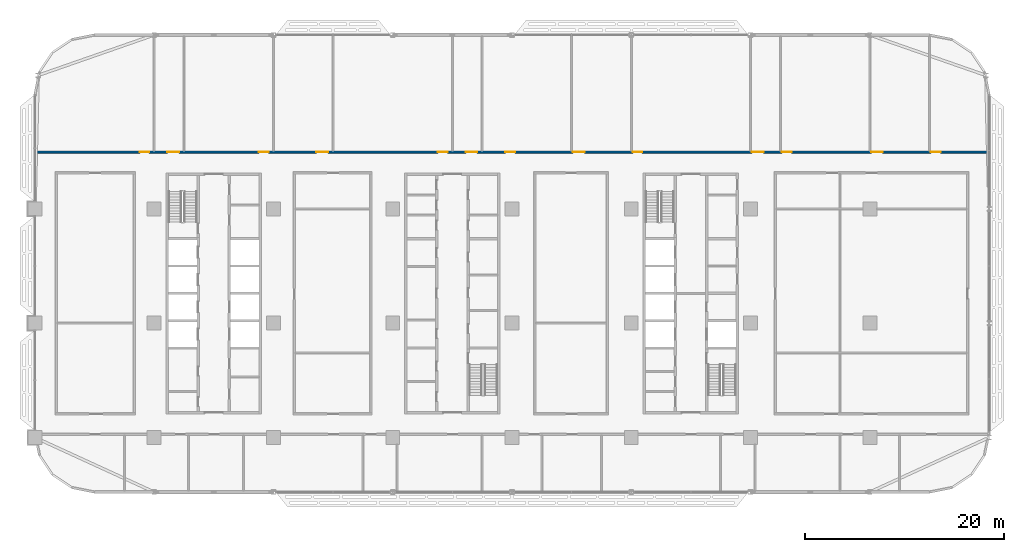
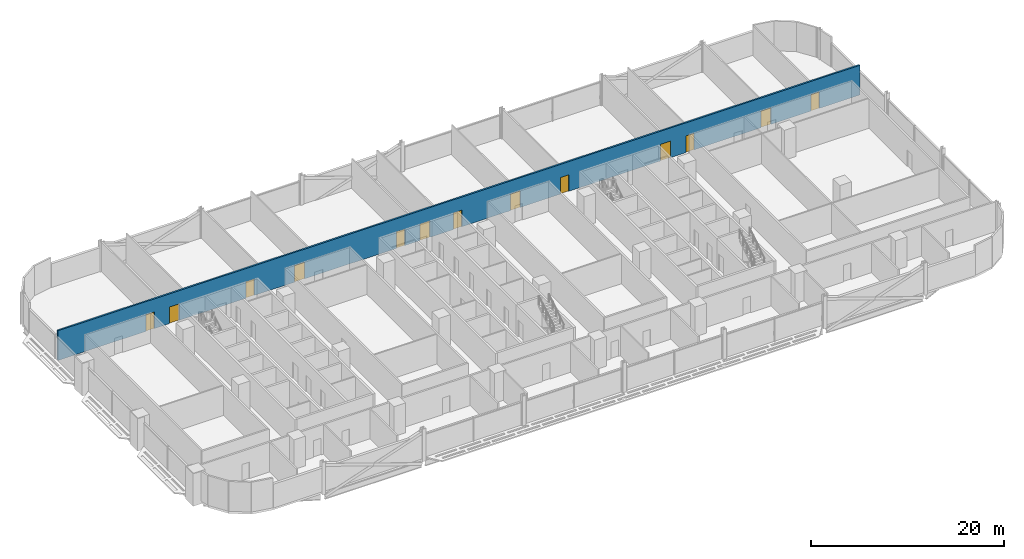
# One storey, part 15 of 29: 13 doors, 1 wall, 13 openings.
"""IFC4 building model written with IfcOpenShell, lengths in metres."""

from ifc_helpers import new_model, si_unit, direction, frame, frame_2d, origin, place, context, subcontext, project, spatial, rectangle, extrude, material, layer, layer_set, type_object, element, fill, save


model = new_model("IFC4")

# Units and contexts
model_context = context("Model", 3, precision=1e-05, world=origin(), true_north=direction((0.0, 1.0)))
body_context = subcontext(model_context, "Body", "Model", "MODEL_VIEW")
ifc_project = project(units=[si_unit("LENGTHUNIT", "METRE"), si_unit("AREAUNIT", "SQUARE_METRE"), si_unit("VOLUMEUNIT", "CUBIC_METRE"), si_unit("PLANEANGLEUNIT", "RADIAN"), si_unit("MASSUNIT", "GRAM", prefix="KILO")], contexts=[model_context])

# Site, building, storey
site_placement = place(None, origin())
site = spatial("IfcSite", under=ifc_project, at=site_placement, CompositionType="ELEMENT")
building_placement = place(site_placement, origin())
building = spatial("IfcBuilding", under=site, at=building_placement, Name="Mahtab Terrace Research Tower", CompositionType="ELEMENT")
storey_placement = place(building_placement, frame((0.0, 0.0, 93.0)))
storey = spatial("IfcBuildingStorey", under=building, at=storey_placement, Name="L21", CompositionType="ELEMENT", Elevation=93.0)

# Wall, openings, doors
ifc_material_1 = material(Name="Gypsum board corridor wall on steel studs", Category="steel")
ifc_layer = layer(ifc_material_1, 0.199951171875)
ifc_layer_set = layer_set([ifc_layer], Name="WALL CORRIDOR 200")
wall_type = type_object("IfcWallType", Name="WALL CORRIDOR 200", PredefinedType="PARTITIONING", material=ifc_layer_set)
wall_placement = place(storey_placement, frame((-41.97509765625, 17.199951171875, 0.0), z_axis=(0.0, 0.0, 1.0), x_axis=(1.0, 0.0, 0.0)))
wall = element("IfcWall", 1, at=wall_placement, inside=storey, type_object=wall_type, Name="L21-W024", PredefinedType="PARTITIONING", context=body_context, shape_type="SweptSolid", body=[
    extrude(rectangle(XDim=95.9501953125, YDim=0.199951171875, at=frame_2d((47.97509765625, 0.0))), origin(), (0.0, 0.0, 1.0), 3.760009765625),
])
opening_1_placement = place(wall_placement, frame((10.5, 0.0, 0.0)))
opening_1 = element("IfcOpeningElement", 2, at=opening_1_placement, cuts=wall, Name="Opening L21-127", PredefinedType="OPENING", context=body_context, shape_type="SweptSolid", body=[
    extrude(rectangle(XDim=1.0, YDim=2.10009765625, at=frame_2d((0.5, 1.050048828125))), frame((0.0, 0.10986328125, 0.0), z_axis=(0.0, -1.0, 0.0), x_axis=(1.0, 0.0, 0.0)), (0.0, 0.0, 1.0), 0.219970703125),
])
opening_2_placement = place(wall_placement, frame((13.300048828125, 0.0, 0.0)))
opening_2 = element("IfcOpeningElement", 3, at=opening_2_placement, cuts=wall, Name="Opening L21-128", PredefinedType="OPENING", context=body_context, shape_type="SweptSolid", body=[
    extrude(rectangle(XDim=1.199951171875, YDim=2.10009765625, at=frame_2d((0.60009765625, 1.050048828125))), frame((0.0, 0.10986328125, 0.0), z_axis=(0.0, -1.0, 0.0), x_axis=(1.0, 0.0, 0.0)), (0.0, 0.0, 1.0), 0.219970703125),
])
opening_3_placement = place(wall_placement, frame((22.5, 0.0, 0.0)))
opening_3 = element("IfcOpeningElement", 4, at=opening_3_placement, cuts=wall, Name="Opening L21-129", PredefinedType="OPENING", context=body_context, shape_type="SweptSolid", body=[
    extrude(rectangle(XDim=1.0, YDim=2.10009765625, at=frame_2d((0.5, 1.050048828125))), frame((0.0, 0.10986328125, 0.0), z_axis=(0.0, -1.0, 0.0), x_axis=(1.0, 0.0, 0.0)), (0.0, 0.0, 1.0), 0.219970703125),
])
opening_4_placement = place(wall_placement, frame((28.300048828125, 0.0, 0.0)))
opening_4 = element("IfcOpeningElement", 5, at=opening_4_placement, cuts=wall, Name="Opening L21-130", PredefinedType="OPENING", context=body_context, shape_type="SweptSolid", body=[
    extrude(rectangle(XDim=1.199951171875, YDim=2.10009765625, at=frame_2d((0.60009765625, 1.050048828125))), frame((0.0, 0.10986328125, 0.0), z_axis=(0.0, -1.0, 0.0), x_axis=(1.0, 0.0, 0.0)), (0.0, 0.0, 1.0), 0.219970703125),
])
opening_5_placement = place(wall_placement, frame((40.5, 0.0, 0.0)))
opening_5 = element("IfcOpeningElement", 6, at=opening_5_placement, cuts=wall, Name="Opening L21-131", PredefinedType="OPENING", context=body_context, shape_type="SweptSolid", body=[
    extrude(rectangle(XDim=1.0, YDim=2.10009765625, at=frame_2d((0.5, 1.050048828125))), frame((0.0, 0.10986328125, 0.0), z_axis=(0.0, -1.0, 0.0), x_axis=(1.0, 0.0, 0.0)), (0.0, 0.0, 1.0), 0.219970703125),
])
opening_6_placement = place(wall_placement, frame((43.300048828125, 0.0, 0.0)))
opening_6 = element("IfcOpeningElement", 7, at=opening_6_placement, cuts=wall, Name="Opening L21-132", PredefinedType="OPENING", context=body_context, shape_type="SweptSolid", body=[
    extrude(rectangle(XDim=1.199951171875, YDim=2.10009765625, at=frame_2d((0.60009765625, 1.050048828125))), frame((0.0, 0.10986328125, 0.0), z_axis=(0.0, -1.0, 0.0), x_axis=(1.0, 0.0, 0.0)), (0.0, 0.0, 1.0), 0.219970703125),
])
opening_7_placement = place(wall_placement, frame((47.300048828125, 0.0, 0.0)))
opening_7 = element("IfcOpeningElement", 8, at=opening_7_placement, cuts=wall, Name="Opening L21-133", PredefinedType="OPENING", context=body_context, shape_type="SweptSolid", body=[
    extrude(rectangle(XDim=1.0, YDim=2.10009765625, at=frame_2d((0.5, 1.050048828125))), frame((0.0, 0.10986328125, 0.0), z_axis=(0.0, -1.0, 0.0), x_axis=(1.0, 0.0, 0.0)), (0.0, 0.0, 1.0), 0.219970703125),
])
opening_8_placement = place(wall_placement, frame((54.10009765625, 0.0, 0.0)))
opening_8 = element("IfcOpeningElement", 9, at=opening_8_placement, cuts=wall, Name="Opening L21-134", PredefinedType="OPENING", context=body_context, shape_type="SweptSolid", body=[
    extrude(rectangle(XDim=1.199951171875, YDim=2.10009765625, at=frame_2d((0.60009765625, 1.050048828125))), frame((0.0, 0.10986328125, 0.0), z_axis=(0.0, -1.0, 0.0), x_axis=(1.0, 0.0, 0.0)), (0.0, 0.0, 1.0), 0.219970703125),
])
opening_9_placement = place(wall_placement, frame((60.10009765625, 0.0, 0.0)))
opening_9 = element("IfcOpeningElement", 10, at=opening_9_placement, cuts=wall, Name="Opening L21-135", PredefinedType="OPENING", context=body_context, shape_type="SweptSolid", body=[
    extrude(rectangle(XDim=1.0, YDim=2.10009765625, at=frame_2d((0.5, 1.050048828125))), frame((0.0, 0.10986328125, 0.0), z_axis=(0.0, -1.0, 0.0), x_axis=(1.0, 0.0, 0.0)), (0.0, 0.0, 1.0), 0.219970703125),
])
opening_10_placement = place(wall_placement, frame((72.10009765625, 0.0, 0.0)))
opening_10 = element("IfcOpeningElement", 11, at=opening_10_placement, cuts=wall, Name="Opening L21-136", PredefinedType="OPENING", context=body_context, shape_type="SweptSolid", body=[
    extrude(rectangle(XDim=1.199951171875, YDim=2.10009765625, at=frame_2d((0.60009765625, 1.050048828125))), frame((0.0, 0.10986328125, 0.0), z_axis=(0.0, -1.0, 0.0), x_axis=(1.0, 0.0, 0.0)), (0.0, 0.0, 1.0), 0.219970703125),
])
opening_11_placement = place(wall_placement, frame((75.10009765625, 0.0, 0.0)))
opening_11 = element("IfcOpeningElement", 12, at=opening_11_placement, cuts=wall, Name="Opening L21-137", PredefinedType="OPENING", context=body_context, shape_type="SweptSolid", body=[
    extrude(rectangle(XDim=1.0, YDim=2.10009765625, at=frame_2d((0.5, 1.050048828125))), frame((0.0, 0.10986328125, 0.0), z_axis=(0.0, -1.0, 0.0), x_axis=(1.0, 0.0, 0.0)), (0.0, 0.0, 1.0), 0.219970703125),
])
opening_12_placement = place(wall_placement, frame((84.10009765625, 0.0, 0.0)))
opening_12 = element("IfcOpeningElement", 13, at=opening_12_placement, cuts=wall, Name="Opening L21-138", PredefinedType="OPENING", context=body_context, shape_type="SweptSolid", body=[
    extrude(rectangle(XDim=1.199951171875, YDim=2.10009765625, at=frame_2d((0.60009765625, 1.050048828125))), frame((0.0, 0.10986328125, 0.0), z_axis=(0.0, -1.0, 0.0), x_axis=(1.0, 0.0, 0.0)), (0.0, 0.0, 1.0), 0.219970703125),
])
opening_13_placement = place(wall_placement, frame((90.10009765625, 0.0, 0.0)))
opening_13 = element("IfcOpeningElement", 14, at=opening_13_placement, cuts=wall, Name="Opening L21-139", PredefinedType="OPENING", context=body_context, shape_type="SweptSolid", body=[
    extrude(rectangle(XDim=1.0, YDim=2.10009765625, at=frame_2d((0.5, 1.050048828125))), frame((0.0, 0.10986328125, 0.0), z_axis=(0.0, -1.0, 0.0), x_axis=(1.0, 0.0, 0.0)), (0.0, 0.0, 1.0), 0.219970703125),
])
ifc_material_2 = material(Name="Timber door leaf in steel frame", Category="steel")
door_type_1 = type_object("IfcDoorType", Name="DOOR 1000X2100 FD30S", OperationType="SINGLE_SWING_LEFT", PredefinedType="DOOR", material=ifc_material_2)
door_1_placement = place(opening_1_placement, origin())
door_1 = element("IfcDoor", 15, at=door_1_placement, inside=storey, type_object=door_type_1, Name="Door L21-127", OperationType="SINGLE_SWING_LEFT", OverallHeight=2.10009765625, OverallWidth=1.0, PredefinedType="DOOR", context=body_context, shape_type="SweptSolid", body=[
    extrude(rectangle(XDim=1.0, YDim=2.10009765625, at=frame_2d((0.5, 1.050048828125))), frame((0.0, 0.02490234375, 0.0), z_axis=(0.0, -1.0, 0.0), x_axis=(1.0, 0.0, 0.0)), (0.0, 0.0, 1.0), 0.050048828125),
])
fill(opening_1, door_1)
door_2_placement = place(opening_3_placement, origin())
door_2 = element("IfcDoor", 16, at=door_2_placement, inside=storey, type_object=door_type_1, Name="Door L21-129", OperationType="SINGLE_SWING_LEFT", OverallHeight=2.10009765625, OverallWidth=1.0, PredefinedType="DOOR", context=body_context, shape_type="SweptSolid", body=[
    extrude(rectangle(XDim=1.0, YDim=2.10009765625, at=frame_2d((0.5, 1.050048828125))), frame((0.0, 0.02490234375, 0.0), z_axis=(0.0, -1.0, 0.0), x_axis=(1.0, 0.0, 0.0)), (0.0, 0.0, 1.0), 0.050048828125),
])
fill(opening_3, door_2)
door_3_placement = place(opening_5_placement, origin())
door_3 = element("IfcDoor", 17, at=door_3_placement, inside=storey, type_object=door_type_1, Name="Door L21-131", OperationType="SINGLE_SWING_LEFT", OverallHeight=2.10009765625, OverallWidth=1.0, PredefinedType="DOOR", context=body_context, shape_type="SweptSolid", body=[
    extrude(rectangle(XDim=1.0, YDim=2.10009765625, at=frame_2d((0.5, 1.050048828125))), frame((0.0, 0.02490234375, 0.0), z_axis=(0.0, -1.0, 0.0), x_axis=(1.0, 0.0, 0.0)), (0.0, 0.0, 1.0), 0.050048828125),
])
fill(opening_5, door_3)
door_4_placement = place(opening_7_placement, origin())
door_4 = element("IfcDoor", 18, at=door_4_placement, inside=storey, type_object=door_type_1, Name="Door L21-133", OperationType="SINGLE_SWING_LEFT", OverallHeight=2.10009765625, OverallWidth=1.0, PredefinedType="DOOR", context=body_context, shape_type="SweptSolid", body=[
    extrude(rectangle(XDim=1.0, YDim=2.10009765625, at=frame_2d((0.5, 1.050048828125))), frame((0.0, 0.02490234375, 0.0), z_axis=(0.0, -1.0, 0.0), x_axis=(1.0, 0.0, 0.0)), (0.0, 0.0, 1.0), 0.050048828125),
])
fill(opening_7, door_4)
door_5_placement = place(opening_9_placement, origin())
door_5 = element("IfcDoor", 19, at=door_5_placement, inside=storey, type_object=door_type_1, Name="Door L21-135", OperationType="SINGLE_SWING_RIGHT", OverallHeight=2.10009765625, OverallWidth=1.0, PredefinedType="DOOR", context=body_context, shape_type="SweptSolid", body=[
    extrude(rectangle(XDim=1.0, YDim=2.10009765625, at=frame_2d((0.5, 1.050048828125))), frame((0.0, 0.02490234375, 0.0), z_axis=(0.0, -1.0, 0.0), x_axis=(1.0, 0.0, 0.0)), (0.0, 0.0, 1.0), 0.050048828125),
])
fill(opening_9, door_5)
door_6_placement = place(opening_11_placement, origin())
door_6 = element("IfcDoor", 20, at=door_6_placement, inside=storey, type_object=door_type_1, Name="Door L21-137", OperationType="SINGLE_SWING_RIGHT", OverallHeight=2.10009765625, OverallWidth=1.0, PredefinedType="DOOR", context=body_context, shape_type="SweptSolid", body=[
    extrude(rectangle(XDim=1.0, YDim=2.10009765625, at=frame_2d((0.5, 1.050048828125))), frame((0.0, 0.02490234375, 0.0), z_axis=(0.0, -1.0, 0.0), x_axis=(1.0, 0.0, 0.0)), (0.0, 0.0, 1.0), 0.050048828125),
])
fill(opening_11, door_6)
door_7_placement = place(opening_13_placement, origin())
door_7 = element("IfcDoor", 21, at=door_7_placement, inside=storey, type_object=door_type_1, Name="Door L21-139", OperationType="SINGLE_SWING_RIGHT", OverallHeight=2.10009765625, OverallWidth=1.0, PredefinedType="DOOR", context=body_context, shape_type="SweptSolid", body=[
    extrude(rectangle(XDim=1.0, YDim=2.10009765625, at=frame_2d((0.5, 1.050048828125))), frame((0.0, 0.02490234375, 0.0), z_axis=(0.0, -1.0, 0.0), x_axis=(1.0, 0.0, 0.0)), (0.0, 0.0, 1.0), 0.050048828125),
])
fill(opening_13, door_7)
door_type_2 = type_object("IfcDoorType", Name="DOOR 1200X2100 FD30S", OperationType="SINGLE_SWING_LEFT", PredefinedType="DOOR", material=ifc_material_2)
door_8_placement = place(opening_2_placement, origin())
door_8 = element("IfcDoor", 22, at=door_8_placement, inside=storey, type_object=door_type_2, Name="Door L21-128", OperationType="SINGLE_SWING_LEFT", OverallHeight=2.10009765625, OverallWidth=1.199951171875, PredefinedType="DOOR", context=body_context, shape_type="SweptSolid", body=[
    extrude(rectangle(XDim=1.199951171875, YDim=2.10009765625, at=frame_2d((0.60009765625, 1.050048828125))), frame((0.0, 0.02490234375, 0.0), z_axis=(0.0, -1.0, 0.0), x_axis=(1.0, 0.0, 0.0)), (0.0, 0.0, 1.0), 0.050048828125),
])
fill(opening_2, door_8)
door_9_placement = place(opening_4_placement, origin())
door_9 = element("IfcDoor", 23, at=door_9_placement, inside=storey, type_object=door_type_2, Name="Door L21-130", OperationType="SINGLE_SWING_LEFT", OverallHeight=2.10009765625, OverallWidth=1.199951171875, PredefinedType="DOOR", context=body_context, shape_type="SweptSolid", body=[
    extrude(rectangle(XDim=1.199951171875, YDim=2.10009765625, at=frame_2d((0.60009765625, 1.050048828125))), frame((0.0, 0.02490234375, 0.0), z_axis=(0.0, -1.0, 0.0), x_axis=(1.0, 0.0, 0.0)), (0.0, 0.0, 1.0), 0.050048828125),
])
fill(opening_4, door_9)
door_10_placement = place(opening_6_placement, origin())
door_10 = element("IfcDoor", 24, at=door_10_placement, inside=storey, type_object=door_type_2, Name="Door L21-132", OperationType="SINGLE_SWING_LEFT", OverallHeight=2.10009765625, OverallWidth=1.199951171875, PredefinedType="DOOR", context=body_context, shape_type="SweptSolid", body=[
    extrude(rectangle(XDim=1.199951171875, YDim=2.10009765625, at=frame_2d((0.60009765625, 1.050048828125))), frame((0.0, 0.02490234375, 0.0), z_axis=(0.0, -1.0, 0.0), x_axis=(1.0, 0.0, 0.0)), (0.0, 0.0, 1.0), 0.050048828125),
])
fill(opening_6, door_10)
door_11_placement = place(opening_8_placement, origin())
door_11 = element("IfcDoor", 25, at=door_11_placement, inside=storey, type_object=door_type_2, Name="Door L21-134", OperationType="SINGLE_SWING_RIGHT", OverallHeight=2.10009765625, OverallWidth=1.199951171875, PredefinedType="DOOR", context=body_context, shape_type="SweptSolid", body=[
    extrude(rectangle(XDim=1.199951171875, YDim=2.10009765625, at=frame_2d((0.60009765625, 1.050048828125))), frame((0.0, 0.02490234375, 0.0), z_axis=(0.0, -1.0, 0.0), x_axis=(1.0, 0.0, 0.0)), (0.0, 0.0, 1.0), 0.050048828125),
])
fill(opening_8, door_11)
door_12_placement = place(opening_10_placement, origin())
door_12 = element("IfcDoor", 26, at=door_12_placement, inside=storey, type_object=door_type_2, Name="Door L21-136", OperationType="SINGLE_SWING_RIGHT", OverallHeight=2.10009765625, OverallWidth=1.199951171875, PredefinedType="DOOR", context=body_context, shape_type="SweptSolid", body=[
    extrude(rectangle(XDim=1.199951171875, YDim=2.10009765625, at=frame_2d((0.60009765625, 1.050048828125))), frame((0.0, 0.02490234375, 0.0), z_axis=(0.0, -1.0, 0.0), x_axis=(1.0, 0.0, 0.0)), (0.0, 0.0, 1.0), 0.050048828125),
])
fill(opening_10, door_12)
door_13_placement = place(opening_12_placement, origin())
door_13 = element("IfcDoor", 27, at=door_13_placement, inside=storey, type_object=door_type_2, Name="Door L21-138", OperationType="SINGLE_SWING_RIGHT", OverallHeight=2.10009765625, OverallWidth=1.199951171875, PredefinedType="DOOR", context=body_context, shape_type="SweptSolid", body=[
    extrude(rectangle(XDim=1.199951171875, YDim=2.10009765625, at=frame_2d((0.60009765625, 1.050048828125))), frame((0.0, 0.02490234375, 0.0), z_axis=(0.0, -1.0, 0.0), x_axis=(1.0, 0.0, 0.0)), (0.0, 0.0, 1.0), 0.050048828125),
])
fill(opening_12, door_13)

save(model, "model.ifc")
